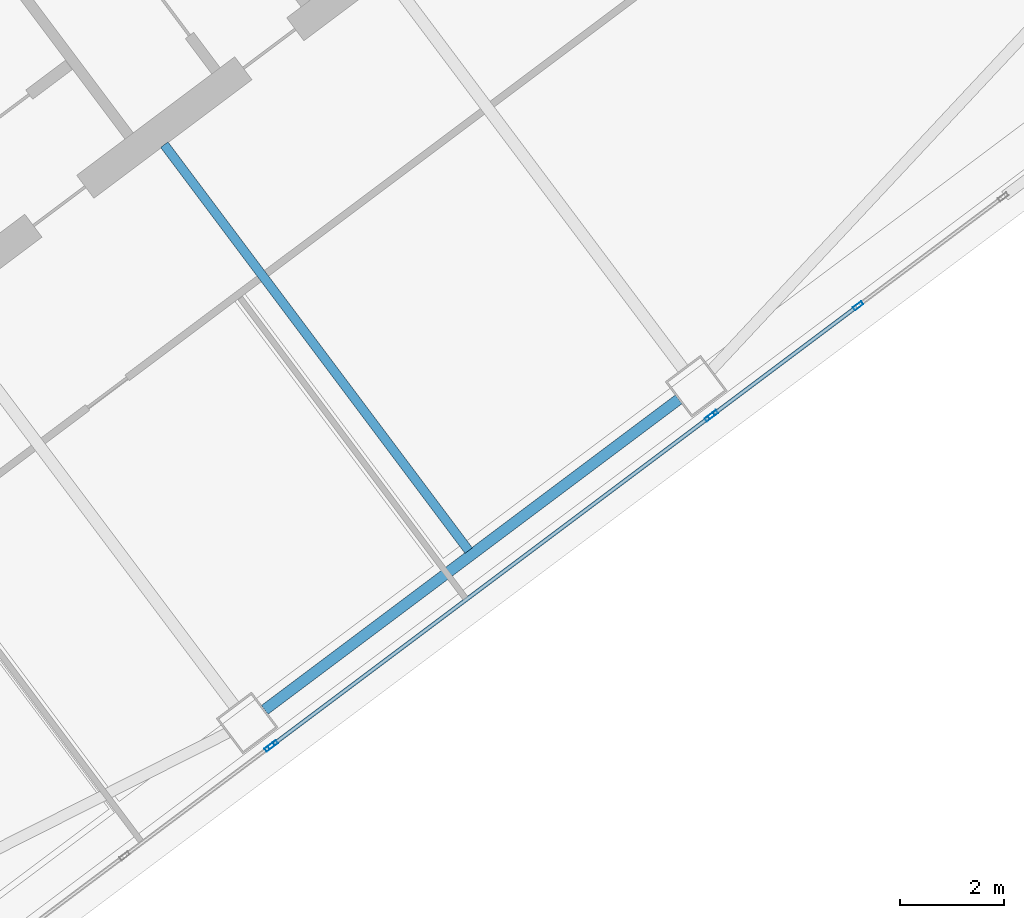
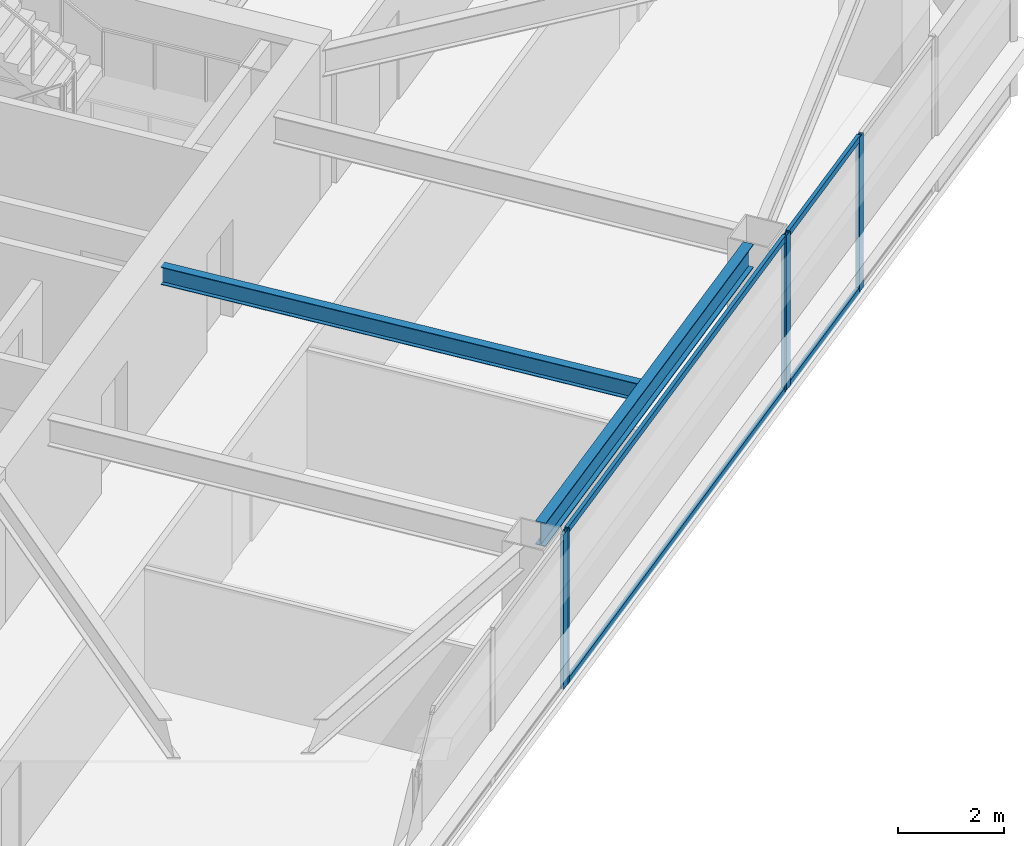
# One storey, part 23 of 44: 9 members, 2 beams, 3 elements without a shape of their own.
"""IFC4 building model written with IfcOpenShell, lengths in metres."""

from ifc_helpers import new_model, si_unit, direction, frame, origin, origin_2d, place, context, subcontext, project, spatial, hollow_rectangle, i_section, extrude, material, material_profile, profile_set, type_object, element, aggregate, save


model = new_model("IFC4")

# Units and contexts
model_context = context("Model", 3, precision=1e-05, world=origin(), true_north=direction((0.0, 1.0)))
body_context = subcontext(model_context, "Body", "Model", "MODEL_VIEW")
ifc_project = project(units=[si_unit("LENGTHUNIT", "METRE"), si_unit("AREAUNIT", "SQUARE_METRE"), si_unit("VOLUMEUNIT", "CUBIC_METRE"), si_unit("PLANEANGLEUNIT", "RADIAN"), si_unit("MASSUNIT", "GRAM", prefix="KILO")], contexts=[model_context])

# Site, building, storey
site_placement = place(None, origin())
site = spatial("IfcSite", under=ifc_project, at=site_placement, CompositionType="ELEMENT")
building_placement = place(site_placement, origin())
building = spatial("IfcBuilding", under=site, at=building_placement, Name="Tashvorn Skyway Center", CompositionType="ELEMENT")
storey_placement = place(building_placement, frame((0.0, 0.0, 149.89990234375)))
storey = spatial("IfcBuildingStorey", under=building, at=storey_placement, Name="L40", CompositionType="ELEMENT", Elevation=149.89990234375)

# Beams
ifc_material_1 = material(Name="Steel ASTM A992 Grade 50", Category="steel")
ifc_material_profile_1 = material_profile(ifc_material_1, i_section(OverallWidth=0.177978515625, OverallDepth=0.406005859375, WebThickness=0.0078125, FlangeThickness=0.0126953125, at=origin_2d()), Name="W16X40")
ifc_profile_set_1 = profile_set([ifc_material_profile_1], Name="Steel ASTM A992 Grade 50")
beam_type_1 = type_object("IfcBeamType", Name="BM-JOIST-W16X40", PredefinedType="JOIST", material=ifc_profile_set_1)
beam_1_placement = place(storey_placement, frame((118.674072265625, 25.76806640625, 3.1669921875), z_axis=(0.599991997409, -0.800006001881, 0.0), x_axis=(0.800006001881, 0.599991997409, 0.0)))
element("IfcBeam", 1, at=beam_1_placement, inside=storey, type_object=beam_type_1, Name="Tower 2 L40 Secondary Composite Joist JS", PredefinedType="JOIST", context=body_context, shape_type="SweptSolid", body=[
    extrude(i_section(OverallWidth=0.177978515625, OverallDepth=0.406005859375, WebThickness=0.0078125, FlangeThickness=0.0126953125, at=origin_2d()), origin(), (0.0, 0.0, 1.0), 9.762451171875),
])
ifc_material_profile_2 = material_profile(ifc_material_1, i_section(OverallWidth=0.2109375, OverallDepth=0.5390625, WebThickness=0.01171875, FlangeThickness=0.018798828125, at=origin_2d()), Name="W21X73")
ifc_profile_set_2 = profile_set([ifc_material_profile_2], Name="Steel ASTM A992 Grade 50")
beam_type_2 = type_object("IfcBeamType", Name="BM-SPANDREL-W21X73", PredefinedType="SPANDREL", material=ifc_profile_set_2)
beam_2_placement = place(storey_placement, frame((120.60595703125, 14.89208984375, 3.1005859375), z_axis=(0.800008824351, 0.599988234018, 0.0), x_axis=(-0.599988234018, 0.800008824351, 0.0)))
element("IfcBeam", 2, at=beam_2_placement, inside=storey, type_object=beam_type_2, Name="Tower 2 L40 Spandrel Beam 02", PredefinedType="SPANDREL", context=body_context, shape_type="SweptSolid", body=[
    extrude(i_section(OverallWidth=0.2109375, OverallDepth=0.5390625, WebThickness=0.01171875, FlangeThickness=0.018798828125, at=origin_2d()), origin(), (0.0, 0.0, 1.0), 9.9599609375),
])

# Curtain wall, members
ifc_material_2 = material(Name="Thermally broken bronze-anodized aluminium 6063-T6", Category="aluminium")
curtain_wall_type = type_object("IfcCurtainWallType", Name="CW-CW-Z3", PredefinedType="NOTDEFINED", material=ifc_material_2)
curtain_wall_1_placement = place(storey_placement, origin())
curtain_wall_1 = element("IfcCurtainWall", 3, at=curtain_wall_1_placement, inside=storey, type_object=curtain_wall_type, Name="Tower 2 L40 South Unitised Curtain Wall Glazing Group 1", PredefinedType="NOTDEFINED")
ifc_material_profile_3 = material_profile(ifc_material_2, hollow_rectangle(XDim=0.074951171875, YDim=0.199951171875, WallThickness=0.00439453125, at=origin_2d()), Name="ALU-MULL-75x200")
ifc_profile_set_3 = profile_set([ifc_material_profile_3], Name="Thermally broken bronze-anodized aluminium 6063-T6")
member_type_1 = type_object("IfcMemberType", Name="CWM-CW-Z3", PredefinedType="MULLION", material=ifc_profile_set_3)
member_1_placement = place(storey_placement, frame((132.02587890625, 22.66943359375, 0.0), z_axis=(0.0, 0.0, 1.0), x_axis=(0.600004533995, -0.799996599484, 0.0)))
member_1 = element("IfcMember", 4, at=member_1_placement, type_object=member_type_1, Name="CW-Z3 mullion 2", PredefinedType="MULLION", context=body_context, shape_type="SweptSolid", body=[
    extrude(hollow_rectangle(XDim=0.074951171875, YDim=0.199951171875, WallThickness=0.00439453125, at=origin_2d()), origin(), (0.0, 0.0, 1.0), 3.550048828125),
])
member_2_placement = place(storey_placement, frame((129.232666015625, 20.574462890625, 0.0), z_axis=(0.0, 0.0, 1.0), x_axis=(0.600004533995, -0.799996599484, 0.0)))
member_2 = element("IfcMember", 5, at=member_2_placement, type_object=member_type_1, Name="CW-Z3 mullion 3", PredefinedType="MULLION", context=body_context, shape_type="SweptSolid", body=[
    extrude(hollow_rectangle(XDim=0.074951171875, YDim=0.199951171875, WallThickness=0.00439453125, at=origin_2d()), origin(), (0.0, 0.0, 1.0), 3.550048828125),
])

curtain_wall_2_placement = place(storey_placement, origin())
curtain_wall_2 = element("IfcCurtainWall", 6, at=curtain_wall_2_placement, inside=storey, type_object=curtain_wall_type, Name="Tower 2 L40 South Unitised Curtain Wall Glazing Group 2", PredefinedType="NOTDEFINED")
member_3_placement = place(storey_placement, frame((129.172607421875, 20.529541015625, 0.0), z_axis=(0.0, 0.0, 1.0), x_axis=(0.599996977339, -0.800002266987, 0.0)))
member_3 = element("IfcMember", 7, at=member_3_placement, type_object=member_type_1, Name="CW-Z3 mullion 1", PredefinedType="MULLION", context=body_context, shape_type="SweptSolid", body=[
    extrude(hollow_rectangle(XDim=0.074951171875, YDim=0.199951171875, WallThickness=0.00439453125, at=origin_2d()), origin(), (0.0, 0.0, 1.0), 3.550048828125),
])
member_4_placement = place(storey_placement, frame((120.76318359375, 14.222412109375, 0.0), z_axis=(0.0, 0.0, 1.0), x_axis=(0.599996977339, -0.800002266987, 0.0)))
member_4 = element("IfcMember", 8, at=member_4_placement, type_object=member_type_1, Name="CW-Z3 mullion 2", PredefinedType="MULLION", context=body_context, shape_type="SweptSolid", body=[
    extrude(hollow_rectangle(XDim=0.074951171875, YDim=0.199951171875, WallThickness=0.00439453125, at=origin_2d()), origin(), (0.0, 0.0, 1.0), 3.550048828125),
])

# Curtain wall, member
curtain_wall_3_placement = place(storey_placement, origin())
curtain_wall_3 = element("IfcCurtainWall", 9, at=curtain_wall_3_placement, inside=storey, type_object=curtain_wall_type, Name="Tower 2 L40 South Unitised Curtain Wall Glazing Group 3", PredefinedType="NOTDEFINED")
member_5_placement = place(storey_placement, frame((120.703369140625, 14.177490234375, 0.0), z_axis=(0.0, 0.0, 1.0), x_axis=(0.600004533995, -0.799996599484, 0.0)))
member_5 = element("IfcMember", 10, at=member_5_placement, type_object=member_type_1, Name="CW-Z3 mullion 1", PredefinedType="MULLION", context=body_context, shape_type="SweptSolid", body=[
    extrude(hollow_rectangle(XDim=0.074951171875, YDim=0.199951171875, WallThickness=0.00439453125, at=origin_2d()), origin(), (0.0, 0.0, 1.0), 3.550048828125),
])
aggregate(curtain_wall_3, [member_5])

# Member
ifc_material_profile_4 = material_profile(ifc_material_2, hollow_rectangle(XDim=0.074951171875, YDim=0.139892578125, WallThickness=0.004150390625, at=origin_2d()), Name="ALU-TRAN-75x140")
ifc_profile_set_4 = profile_set([ifc_material_profile_4], Name="Thermally broken bronze-anodized aluminium 6063-T6")
member_type_2 = type_object("IfcMemberType", Name="CWT-CW-Z3", PredefinedType="USERDEFINED", material=ifc_profile_set_4)
member_6_placement = place(storey_placement, frame((131.995849609375, 22.646728515625, 0.03759765625), z_axis=(-0.800008575267, -0.59998856614, 0.0), x_axis=(0.59998856614, -0.800008575267, 0.0)))
member_6 = element("IfcMember", 11, at=member_6_placement, type_object=member_type_2, Name="CW-Z3 transom 2.1", ObjectType="TRANSOM", PredefinedType="USERDEFINED", context=body_context, shape_type="SweptSolid", body=[
    extrude(hollow_rectangle(XDim=0.074951171875, YDim=0.139892578125, WallThickness=0.004150390625, at=origin_2d()), origin(), (0.0, 0.0, 1.0), 3.41650390625),
])

member_7_placement = place(storey_placement, frame((131.995849609375, 22.646728515625, 3.5126953125), z_axis=(-0.800008575267, -0.59998856614, 0.0), x_axis=(0.59998856614, -0.800008575267, 0.0)))
member_7 = element("IfcMember", 12, at=member_7_placement, type_object=member_type_2, Name="CW-Z3 transom 2.2", ObjectType="TRANSOM", PredefinedType="USERDEFINED", context=body_context, shape_type="SweptSolid", body=[
    extrude(hollow_rectangle(XDim=0.074951171875, YDim=0.139892578125, WallThickness=0.004150390625, at=origin_2d()), origin(), (0.0, 0.0, 1.0), 3.41650390625),
])

aggregate(curtain_wall_1, [member_1, member_2, member_6, member_7])

member_8_placement = place(storey_placement, frame((129.142578125, 20.507080078125, 0.03759765625), z_axis=(-0.800002807101, -0.599996257181, 0.0), x_axis=(0.599996257181, -0.800002807101, 0.0)))
member_8 = element("IfcMember", 13, at=member_8_placement, type_object=member_type_2, Name="CW-Z3 transom 1.1", ObjectType="TRANSOM", PredefinedType="USERDEFINED", context=body_context, shape_type="SweptSolid", body=[
    extrude(hollow_rectangle(XDim=0.074951171875, YDim=0.139892578125, WallThickness=0.004150390625, at=origin_2d()), origin(), (0.0, 0.0, 1.0), 10.436767578125),
])

member_9_placement = place(storey_placement, frame((129.142578125, 20.507080078125, 3.5126953125), z_axis=(-0.800002807101, -0.599996257181, 0.0), x_axis=(0.599996257181, -0.800002807101, 0.0)))
member_9 = element("IfcMember", 14, at=member_9_placement, type_object=member_type_2, Name="CW-Z3 transom 1.2", ObjectType="TRANSOM", PredefinedType="USERDEFINED", context=body_context, shape_type="SweptSolid", body=[
    extrude(hollow_rectangle(XDim=0.074951171875, YDim=0.139892578125, WallThickness=0.004150390625, at=origin_2d()), origin(), (0.0, 0.0, 1.0), 10.436767578125),
])

aggregate(curtain_wall_2, [member_3, member_4, member_8, member_9])

save(model, "model.ifc")
